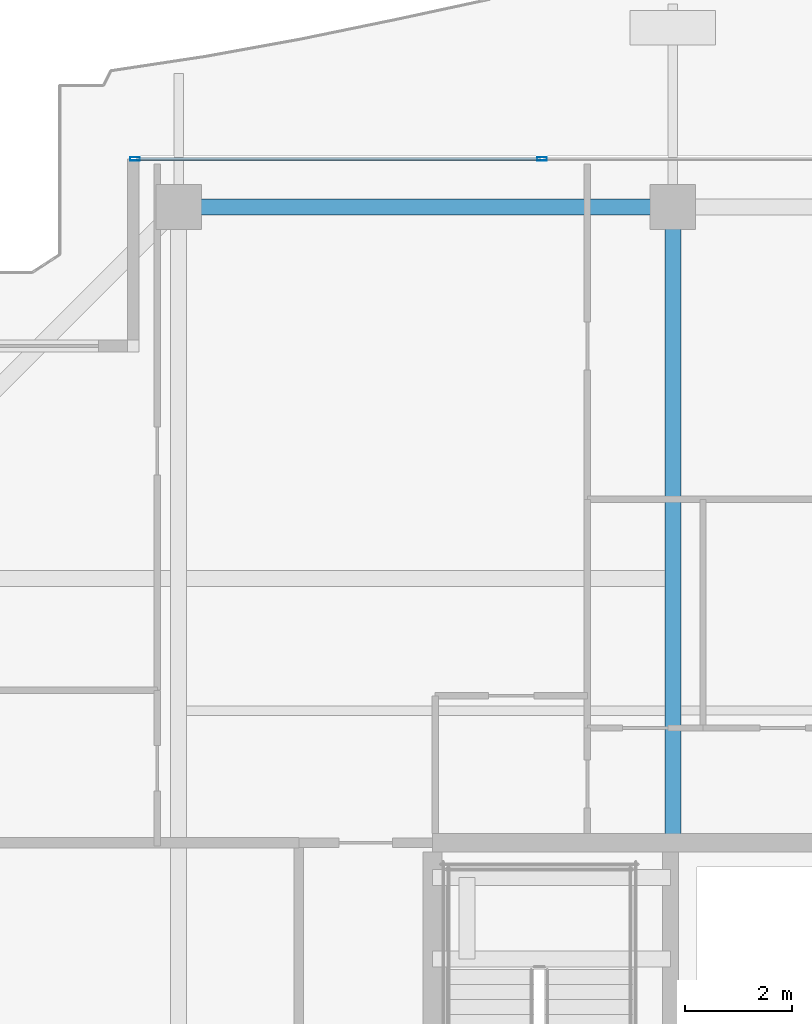
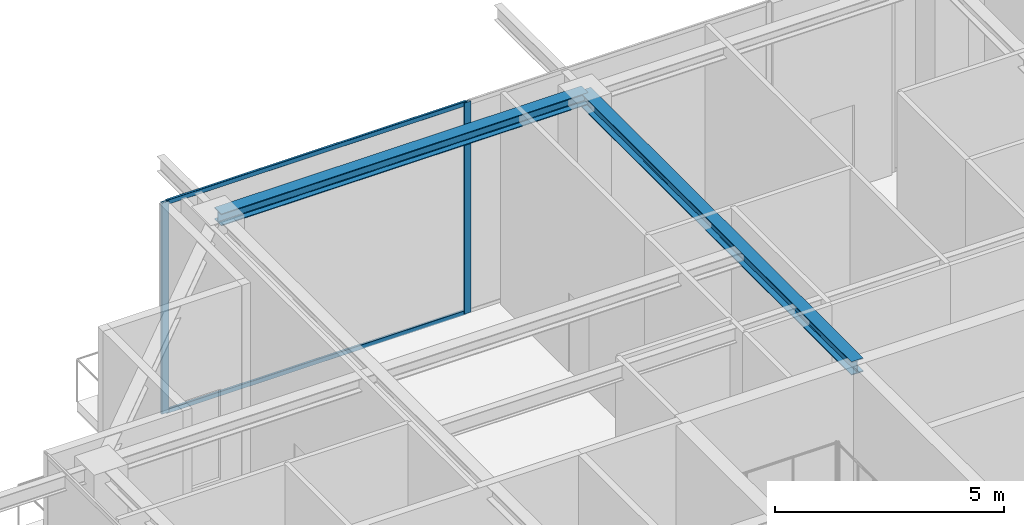
# One storey, part 21 of 40: 4 members, 2 beams, 1 element without a shape of its own.
"""IFC4 building model written with IfcOpenShell, lengths in metres."""

from ifc_helpers import new_model, si_unit, direction, frame, origin, origin_2d, place, context, subcontext, project, spatial, hollow_rectangle, i_section, extrude, source, transform, mapped, material, layer, layer_set, material_profile, profile_set, type_object, element, aggregate, save


model = new_model("IFC4")

# Units and contexts
model_context = context("Model", 3, precision=1e-05, world=origin(), true_north=direction((0.0, 1.0)))
body_context = subcontext(model_context, "Body", "Model", "MODEL_VIEW")
ifc_project = project(units=[si_unit("LENGTHUNIT", "METRE"), si_unit("AREAUNIT", "SQUARE_METRE"), si_unit("VOLUMEUNIT", "CUBIC_METRE"), si_unit("PLANEANGLEUNIT", "RADIAN"), si_unit("MASSUNIT", "GRAM", prefix="KILO")], contexts=[model_context])

# Site, building, storey
site_placement = place(None, origin())
site = spatial("IfcSite", under=ifc_project, at=site_placement, CompositionType="ELEMENT")
building_placement = place(site_placement, origin())
building = spatial("IfcBuilding", under=site, at=building_placement, Name="Serunith Strait Residences", CompositionType="ELEMENT")
storey_placement = place(building_placement, frame((0.0, 0.0, 347.949951171875)))
storey = spatial("IfcBuildingStorey", under=building, at=storey_placement, Name="L86", CompositionType="ELEMENT", Elevation=347.949951171875)

# Beams
ifc_material_1 = material(Name="Steel S355J2", Category="steel")
ifc_material_profile_1 = material_profile(ifc_material_1, i_section(OverallWidth=0.300048828125, OverallDepth=0.360107421875, WebThickness=0.012451171875, FlangeThickness=0.0224609375, FilletRadius=0.027099609375, at=origin_2d()), Name="HEB 360")
ifc_profile_set_1 = profile_set([ifc_material_profile_1], Name="Steel S355J2")
beam_type_1 = type_object("IfcBeamType", Name="BM-HEB360", PredefinedType="BEAM", material=ifc_profile_set_1)
shared_shape_1 = source(origin(), body_context, "Body", "SweptSolid", [
    extrude(i_section(OverallWidth=0.300048828125, OverallDepth=0.360107421875, WebThickness=0.012451171875, FlangeThickness=0.0224609375, FilletRadius=0.027099609375, at=origin_2d()), origin(), (0.0, 0.0, 1.0), 11.89990234375),
])
beam_1_placement = place(storey_placement, frame((27.89990234375, 33.60009765625, 5.45703125), z_axis=(0.0, 1.0, 0.0), x_axis=(-1.0, 0.0, 0.0)))
element("IfcBeam", 1, at=beam_1_placement, inside=storey, type_object=beam_type_1, Name="L86 Primary Floor Girder TC-N2", PredefinedType="BEAM", context=body_context, shape_type="MappedRepresentation", body=[
    mapped(shared_shape_1, transform((0.0, 0.0, 0.0), scale=1.0)),
])
ifc_material_profile_2 = material_profile(ifc_material_1, i_section(OverallWidth=0.300048828125, OverallDepth=0.320068359375, WebThickness=0.011474609375, FlangeThickness=0.0205078125, FilletRadius=0.027099609375, at=origin_2d()), Name="HEB 320")
ifc_profile_set_2 = profile_set([ifc_material_profile_2], Name="Steel S355J2")
beam_type_2 = type_object("IfcBeamType", Name="BM-HEB320", PredefinedType="BEAM", material=ifc_profile_set_2)
shared_shape_2 = source(origin(), body_context, "Body", "SweptSolid", [
    extrude(i_section(OverallWidth=0.300048828125, OverallDepth=0.320068359375, WebThickness=0.011474609375, FlangeThickness=0.0205078125, FilletRadius=0.027099609375, at=origin_2d()), origin(), (0.0, 0.0, 1.0), 9.25),
])
beam_2_placement = place(storey_placement, frame((27.89990234375, 45.5, 5.47705078125), z_axis=(-1.0, 0.0, 0.0), x_axis=(0.0, -1.0, 0.0)))
element("IfcBeam", 2, at=beam_2_placement, inside=storey, type_object=beam_type_2, Name="L86 Perimeter Ring Beam 11", PredefinedType="BEAM", context=body_context, shape_type="MappedRepresentation", body=[
    mapped(shared_shape_2, transform((0.0, 0.0, 0.0), scale=1.0)),
])

# Curtain wall, members
ifc_material_2 = material(Name="Brushed Stainless-Silver Aluminium", Category="aluminium")
ifc_layer = layer(ifc_material_2, 0.199951171875, Name="Brushed Stainless-Silver Aluminium")
ifc_layer_set = layer_set([ifc_layer], Name="Brushed Stainless-Silver Aluminium")
curtain_wall_type = type_object("IfcCurtainWallType", Name="CW-SYS5", PredefinedType="NOTDEFINED", material=ifc_layer_set)
curtain_wall_placement = place(storey_placement, origin())
curtain_wall = element("IfcCurtainWall", 3, at=curtain_wall_placement, inside=storey, type_object=curtain_wall_type, Name="L86 N Unitised Fritted Curtain Wall", PredefinedType="NOTDEFINED")
ifc_material_profile_3 = material_profile(ifc_material_2, hollow_rectangle(XDim=0.06005859375, YDim=0.1201171875, WallThickness=0.00341796875, InnerFilletRadius=0.00537109375, OuterFilletRadius=0.0087890625, at=origin_2d()), Name="ALU 120x60x3.5")
ifc_profile_set_3 = profile_set([ifc_material_profile_3], Name="Brushed Stainless-Silver Aluminium")
member_type_1 = type_object("IfcMemberType", Name="CW-SYS5-TRAN", PredefinedType="USERDEFINED", material=ifc_profile_set_3)
shared_shape_3 = source(origin(), body_context, "Body", "SweptSolid", [
    extrude(hollow_rectangle(XDim=0.06005859375, YDim=0.1201171875, WallThickness=0.00341796875, InnerFilletRadius=0.00537109375, OuterFilletRadius=0.0087890625, at=origin_2d()), origin(), (0.0, 0.0, 1.0), 7.552490234375),
])
member_1_placement = place(storey_placement, frame((25.41748046875, 46.39990234375, 0.030029296875), z_axis=(-1.0, 0.0, 0.0), x_axis=(0.0, -1.0, 0.0)))
member_1 = element("IfcMember", 4, at=member_1_placement, type_object=member_type_1, Name="CW-5 transom 2.1", ObjectType="TRANSOM", PredefinedType="USERDEFINED", context=body_context, shape_type="MappedRepresentation", body=[
    mapped(shared_shape_3, transform((0.0, 0.0, 0.0), scale=1.0)),
])
member_2_placement = place(storey_placement, frame((25.41748046875, 46.39990234375, 5.594970703125), z_axis=(-1.0, 0.0, 0.0), x_axis=(0.0, -1.0, 0.0)))
member_2 = element("IfcMember", 5, at=member_2_placement, type_object=member_type_1, Name="CW-5 transom 2.2", ObjectType="TRANSOM", PredefinedType="USERDEFINED", context=body_context, shape_type="MappedRepresentation", body=[
    mapped(shared_shape_3, transform((0.0, 0.0, 0.0), scale=1.0)),
])
ifc_material_profile_4 = material_profile(ifc_material_2, hollow_rectangle(XDim=0.06494140625, YDim=0.179931640625, WallThickness=0.00341796875, InnerFilletRadius=0.00537109375, OuterFilletRadius=0.0087890625, at=origin_2d()), Name="ALU 180x65x3.5")
ifc_profile_set_4 = profile_set([ifc_material_profile_4], Name="Brushed Stainless-Silver Aluminium")
member_type_2 = type_object("IfcMemberType", Name="CW-SYS5-MULL", PredefinedType="MULLION", material=ifc_profile_set_4)
shared_shape_4 = source(origin(), body_context, "Body", "SweptSolid", [
    extrude(hollow_rectangle(XDim=0.06494140625, YDim=0.179931640625, WallThickness=0.00341796875, InnerFilletRadius=0.00537109375, OuterFilletRadius=0.0087890625, at=origin_2d()), origin(), (0.0, 0.0, 1.0), 5.625),
])
member_3_placement = place(storey_placement, frame((25.449951171875, 46.39990234375, 0.0), z_axis=(0.0, 0.0, 1.0), x_axis=(0.0, -1.0, 0.0)))
member_3 = element("IfcMember", 6, at=member_3_placement, type_object=member_type_2, Name="CW-5 mullion 2", PredefinedType="MULLION", context=body_context, shape_type="MappedRepresentation", body=[
    mapped(shared_shape_4, transform((0.0, 0.0, 0.0), scale=1.0)),
])
member_4_placement = place(storey_placement, frame((17.83251953125, 46.39990234375, 0.0), z_axis=(0.0, 0.0, 1.0), x_axis=(0.0, -1.0, 0.0)))
member_4 = element("IfcMember", 7, at=member_4_placement, type_object=member_type_2, Name="CW-5 mullion 3", PredefinedType="MULLION", context=body_context, shape_type="MappedRepresentation", body=[
    mapped(shared_shape_4, transform((0.0, 0.0, 0.0), scale=1.0)),
])
aggregate(curtain_wall, [member_3, member_4, member_1, member_2])

save(model, "model.ifc")
